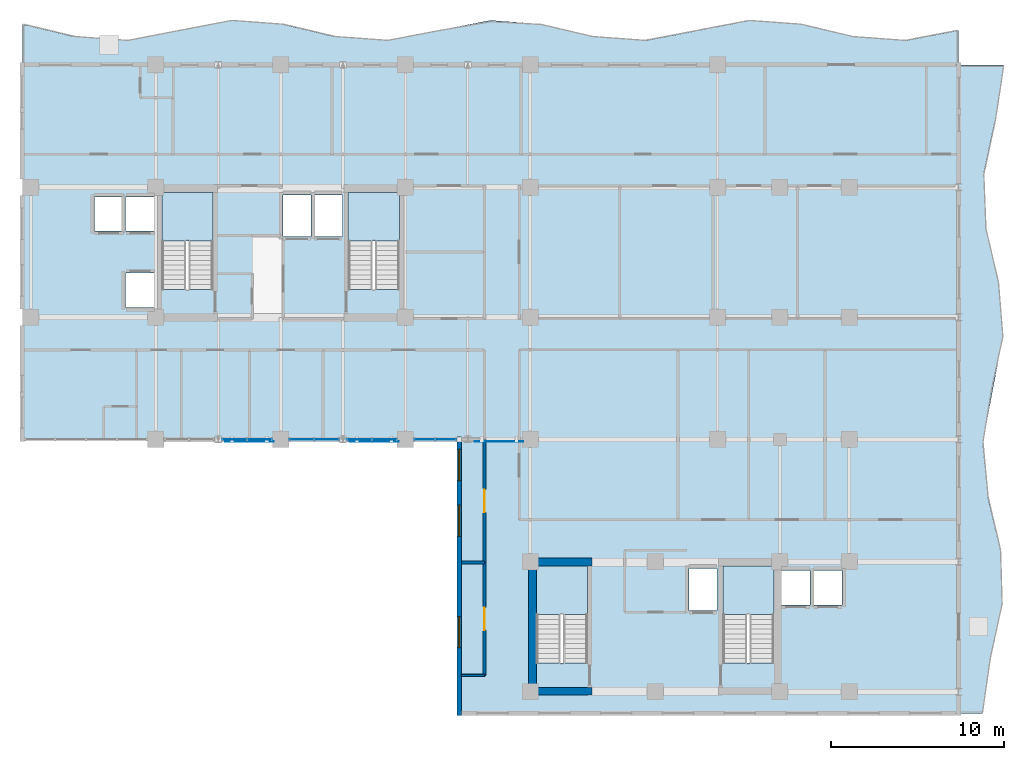
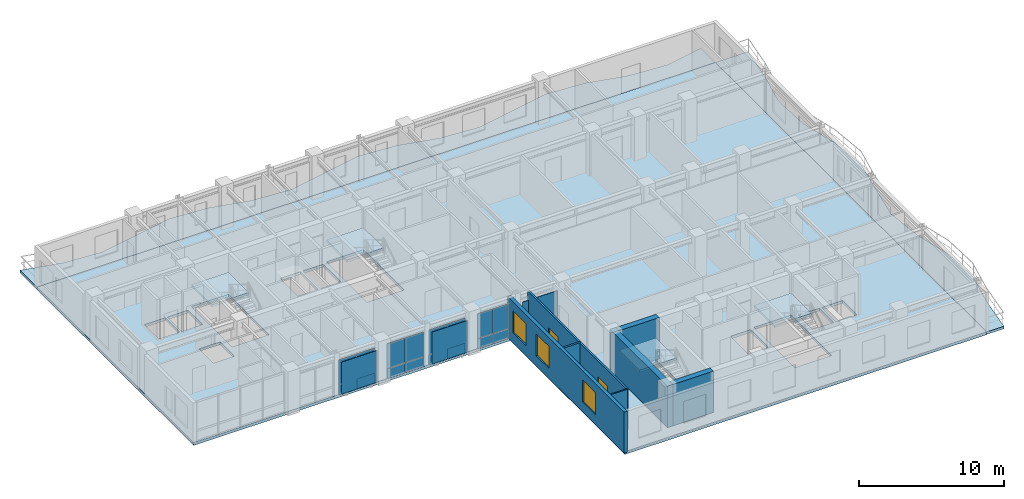
# One storey, part 7 of 16: 19 plates, 8 walls, 7 slabs, 3 windows, 2 doors, 5 openings, 8 elements without a shape of their own.
"""IFC4 building model written with IfcOpenShell, lengths in metres."""

from ifc_helpers import new_model, si_unit, direction, frame, frame_2d, origin, origin_2d, place, context, subcontext, project, spatial, polyline, rectangle, outline, extrude, source, transform, mapped, material, layer, layer_set, type_object, element, fill, aggregate, save


model = new_model("IFC4")

# Units and contexts
model_context = context("Model", 3, precision=1e-05, world=origin(), true_north=direction((0.0, 1.0)))
body_context = subcontext(model_context, "Body", "Model", "MODEL_VIEW")
ifc_project = project(units=[si_unit("LENGTHUNIT", "METRE"), si_unit("AREAUNIT", "SQUARE_METRE"), si_unit("VOLUMEUNIT", "CUBIC_METRE"), si_unit("PLANEANGLEUNIT", "RADIAN"), si_unit("MASSUNIT", "GRAM", prefix="KILO")], contexts=[model_context])

# Site, building, storey
site_placement = place(None, origin())
site = spatial("IfcSite", under=ifc_project, at=site_placement, CompositionType="ELEMENT")
building_placement = place(site_placement, origin())
building = spatial("IfcBuilding", under=site, at=building_placement, Name="Kaliganga Portal Commons", CompositionType="ELEMENT")
storey_placement = place(building_placement, frame((0.0, 0.0, 205.5)))
storey = spatial("IfcBuildingStorey", under=building, at=storey_placement, Name="L52", CompositionType="ELEMENT", Elevation=205.5)

# Slabs
ifc_material_1 = material(Name="Concrete C40/50", Category="concrete")
ifc_layer_1 = layer(ifc_material_1, 0.2099609375)
ifc_layer_set_1 = layer_set([ifc_layer_1], Name="Concrete C40/50")
slab_type_1 = type_object("IfcSlabType", Name="SLB-BALC-210", PredefinedType="FLOOR", material=ifc_layer_set_1)
slab_1_placement = place(storey_placement, frame((0.0, 0.0, -0.2099609375)))
element("IfcSlab", 1, at=slab_1_placement, inside=storey, type_object=slab_type_1, Name="Scalloped Tree-Planter Balcony Slab L52 balc_north", PredefinedType="FLOOR", context=body_context, shape_type="SweptSolid", body=[
    extrude(outline(polyline([(60.699951171875, 43.199951171875), (60.699951171875, 45.19091796875), (57.699951171875, 44.61181640625), (54.699951171875, 44.8330078125), (51.699951171875, 45.549072265625), (48.699951171875, 45.770263671875), (45.699951171875, 45.19091796875), (42.699951171875, 44.61181640625), (39.699951171875, 44.8330078125), (36.699951171875, 45.549072265625), (33.699951171875, 45.770263671875), (30.699951171875, 45.19091796875), (27.699951171875, 44.61181640625), (24.699951171875, 44.8330078125), (21.699951171875, 45.549072265625), (18.699951171875, 45.770263671875), (15.699951171875, 45.19091796875), (12.699951171875, 44.61181640625), (9.699951171875, 44.8330078125), (6.699951171875, 45.549072265625), (6.699951171875, 43.199951171875), (60.699951171875, 43.199951171875)])), origin(), (0.0, 0.0, 1.0), 0.2099609375),
])
slab_2_placement = place(storey_placement, frame((0.0, 0.0, -0.2099609375)))
element("IfcSlab", 2, at=slab_2_placement, inside=storey, type_object=slab_type_1, Name="Scalloped Tree-Planter Balcony Slab L52 balc_east", PredefinedType="FLOOR", context=body_context, shape_type="SweptSolid", body=[
    extrude(outline(polyline([(60.699951171875, 5.800048828125), (62.08203125, 5.800048828125), (62.53125, 8.916748046875), (63.21630859375, 12.033203125), (63.126220703125, 15.14990234375), (62.393798828125, 18.2666015625), (62.10009765625, 21.38330078125), (62.67822265625, 24.5), (63.275146484375, 27.61669921875), (63.010009765625, 30.7333984375), (62.274169921875, 33.85009765625), (62.1533203125, 36.966796875), (62.825927734375, 40.083251953125), (63.299560546875, 43.199951171875), (60.699951171875, 43.199951171875), (60.699951171875, 5.800048828125)])), origin(), (0.0, 0.0, 1.0), 0.2099609375),
])

# Stair, slab
stair_type = type_object("IfcStairType", Name="ST-CORE-DOGLEG", PredefinedType="HALF_TURN_STAIR", material=ifc_material_1)
stair_1_placement = place(storey_placement, origin())
stair_1 = element("IfcStair", 3, at=stair_1_placement, inside=storey, type_object=stair_type, Name="L52 Protected Exit Stair ST-A1", PredefinedType="HALF_TURN_STAIR")
ifc_layer_2 = layer(ifc_material_1, 0.199951171875)
ifc_layer_set_2 = layer_set([ifc_layer_2], Name="Concrete C40/50")
slab_type_2 = type_object("IfcSlabType", Name="SLB-STAIR-LND", PredefinedType="LANDING", material=ifc_layer_set_2)
slab_3_placement = place(storey_placement, frame((0.0, 0.0, 1.64990234375)))
slab_3 = element("IfcSlab", 4, at=slab_3_placement, type_object=slab_type_2, Name="ST-A1 landing 1", PredefinedType="LANDING", context=body_context, shape_type="SweptSolid", body=[
    extrude(outline(polyline([(17.699951171875, 33.050048828125), (17.699951171875, 35.85009765625), (14.75, 35.85009765625), (14.75, 33.050048828125), (17.699951171875, 33.050048828125)])), origin(), (0.0, 0.0, 1.0), 0.2001953125),
])
aggregate(stair_1, [slab_3])

stair_2_placement = place(storey_placement, origin())
stair_2 = element("IfcStair", 5, at=stair_2_placement, inside=storey, type_object=stair_type, Name="L52 Protected Exit Stair ST-A2", PredefinedType="HALF_TURN_STAIR")
slab_4_placement = place(storey_placement, frame((0.0, 0.0, 1.64990234375)))
slab_4 = element("IfcSlab", 6, at=slab_4_placement, type_object=slab_type_2, Name="ST-A2 landing 1", PredefinedType="LANDING", context=body_context, shape_type="SweptSolid", body=[
    extrude(outline(polyline([(28.449951171875, 33.050048828125), (28.449951171875, 35.85009765625), (25.5, 35.85009765625), (25.5, 33.050048828125), (28.449951171875, 33.050048828125)])), origin(), (0.0, 0.0, 1.0), 0.2001953125),
])
aggregate(stair_2, [slab_4])

stair_3_placement = place(storey_placement, origin())
stair_3 = element("IfcStair", 7, at=stair_3_placement, inside=storey, type_object=stair_type, Name="L52 Protected Exit Stair ST-B1", PredefinedType="HALF_TURN_STAIR")
slab_5_placement = place(storey_placement, frame((0.0, 0.0, 1.64990234375)))
slab_5 = element("IfcSlab", 8, at=slab_5_placement, type_object=slab_type_2, Name="ST-B1 landing 1", PredefinedType="LANDING", context=body_context, shape_type="SweptSolid", body=[
    extrude(outline(polyline([(39.300048828125, 11.5), (39.300048828125, 14.300048828125), (36.35009765625, 14.300048828125), (36.35009765625, 11.5), (39.300048828125, 11.5)])), origin(), (0.0, 0.0, 1.0), 0.2001953125),
])
aggregate(stair_3, [slab_5])

stair_4_placement = place(storey_placement, origin())
stair_4 = element("IfcStair", 9, at=stair_4_placement, inside=storey, type_object=stair_type, Name="L52 Protected Exit Stair ST-B2", PredefinedType="HALF_TURN_STAIR")
slab_6_placement = place(storey_placement, frame((0.0, 0.0, 1.64990234375)))
slab_6 = element("IfcSlab", 10, at=slab_6_placement, type_object=slab_type_2, Name="ST-B2 landing 1", PredefinedType="LANDING", context=body_context, shape_type="SweptSolid", body=[
    extrude(outline(polyline([(50.050048828125, 11.5), (50.050048828125, 14.300048828125), (47.10009765625, 14.300048828125), (47.10009765625, 11.5), (50.050048828125, 11.5)])), origin(), (0.0, 0.0, 1.0), 0.2001953125),
])
aggregate(stair_4, [slab_6])

# Slab
ifc_layer_3 = layer(ifc_material_1, 0.22998046875)
ifc_layer_set_3 = layer_set([ifc_layer_3], Name="Concrete C40/50")
slab_type_3 = type_object("IfcSlabType", Name="SLB-TWR-230", PredefinedType="FLOOR", material=ifc_layer_set_3)
slab_7_placement = place(storey_placement, frame((0.0, 0.0, -0.22998046875)))
element("IfcSlab", 11, at=slab_7_placement, inside=storey, type_object=slab_type_3, Name="Structural Floor Slab L52", PredefinedType="FLOOR", context=body_context, shape_type="SweptSolid", body=[
    extrude(outline(polyline([(31.89990234375, 5.800048828125), (60.699951171875, 5.800048828125), (60.699951171875, 43.199951171875), (6.699951171875, 43.199951171875), (6.699951171875, 21.60009765625), (31.89990234375, 21.60009765625), (31.89990234375, 5.800048828125)]), holes=[polyline([(14.75, 30.25390625), (14.75, 35.85009765625), (17.699951171875, 35.85009765625), (17.699951171875, 30.25390625), (14.75, 30.25390625)]), polyline([(25.5, 30.25390625), (25.5, 35.85009765625), (28.449951171875, 35.85009765625), (28.449951171875, 30.25390625), (25.5, 30.25390625)]), polyline([(36.35009765625, 8.7041015625), (36.35009765625, 14.300048828125), (39.300048828125, 14.300048828125), (39.300048828125, 8.7041015625), (36.35009765625, 8.7041015625)]), polyline([(47.10009765625, 8.7041015625), (47.10009765625, 14.300048828125), (50.050048828125, 14.300048828125), (50.050048828125, 8.7041015625), (47.10009765625, 8.7041015625)]), polyline([(12.6650390625, 33.614990234375), (12.6650390625, 35.5849609375), (14.3349609375, 35.5849609375), (14.3349609375, 33.614990234375), (12.6650390625, 33.614990234375)]), polyline([(12.6650390625, 29.215087890625), (12.6650390625, 31.18505859375), (14.3349609375, 31.18505859375), (14.3349609375, 29.215087890625), (12.6650390625, 29.215087890625)]), polyline([(10.864990234375, 33.614990234375), (10.864990234375, 35.5849609375), (12.534912109375, 35.5849609375), (12.534912109375, 33.614990234375), (10.864990234375, 33.614990234375)]), polyline([(21.739990234375, 33.2900390625), (21.739990234375, 35.7099609375), (23.360107421875, 35.7099609375), (23.360107421875, 33.2900390625), (21.739990234375, 33.2900390625)]), polyline([(23.5400390625, 33.2900390625), (23.5400390625, 35.7099609375), (25.159912109375, 35.7099609375), (25.159912109375, 33.2900390625), (23.5400390625, 33.2900390625)]), polyline([(50.465087890625, 12.06494140625), (50.465087890625, 14.034912109375), (52.135009765625, 14.034912109375), (52.135009765625, 12.06494140625), (50.465087890625, 12.06494140625)]), polyline([(52.31494140625, 12.06494140625), (52.31494140625, 14.034912109375), (53.985107421875, 14.034912109375), (53.985107421875, 12.06494140625), (52.31494140625, 12.06494140625)]), polyline([(45.139892578125, 11.739990234375), (45.139892578125, 14.159912109375), (46.760009765625, 14.159912109375), (46.760009765625, 11.739990234375), (45.139892578125, 11.739990234375)])]), origin(), (0.0, 0.0, 1.0), 0.22998046875),
])

# Plates
ifc_material_2 = material(Name="Perforated Terracotta Monsoon Baguette Screen", Category="masonry")
ifc_layer_4 = layer(ifc_material_2, 0.034912109375)
ifc_layer_set_4 = layer_set([ifc_layer_4], Name="Perforated Terracotta Monsoon Baguette Screen")
plate_type_1 = type_object("IfcPlateType", Name="PLT-CER-35", PredefinedType="USERDEFINED", material=ifc_layer_set_4)
shared_shape_1 = source(origin(), body_context, "Body", "SweptSolid", [
    extrude(rectangle(XDim=2.800048828125, YDim=0.034912109375, at=origin_2d()), origin(), (0.0, 0.0, 1.0), 2.68994140625),
])
for number, where, z_axis, x_axis, name in (
    (12, (19.800048828125, 21.47998046875, 0.080078125), (0.0, 0.0, 1.0), (1.0, 0.0, 0.0), "Perforated Solar Screen L52-S1"),
    (13, (27.0, 21.47998046875, 0.080078125), (0.0, 0.0, 1.0), (1.0, 0.0, 0.0), "Perforated Solar Screen L52-S2"),
    (14, (34.199951171875, 21.47998046875, 0.080078125), (0.0, 0.0, 1.0), (1.0, 0.0, 0.0), "Perforated Solar Screen L52-S3"),
):
    element("IfcPlate", number, at=place(storey_placement, frame(where, z_axis=z_axis, x_axis=x_axis)), inside=storey, type_object=plate_type_1, Name=name, ObjectType="SOLAR SCREEN", PredefinedType="USERDEFINED", context=body_context, shape_type="MappedRepresentation", body=[
        mapped(shared_shape_1, transform((0.0, 0.0, 0.0), x_axis=(1.0, 0.0, 0.0), y_axis=(0.0, 1.0, 0.0), z_axis=(0.0, 0.0, 1.0), scale=1.0)),
    ])

# Curtain wall, plates
ifc_material_3 = material(Name="Anodized Aluminium and Laminated Low-E Glass", Category="aluminium")
ifc_layer_5 = layer(ifc_material_3, 0.2099609375)
ifc_layer_set_5 = layer_set([ifc_layer_5], Name="Anodized Aluminium and Laminated Low-E Glass")
curtain_wall_type = type_object("IfcCurtainWallType", Name="CW-SYS-03", PredefinedType="NOTDEFINED", material=ifc_layer_set_5)
curtain_wall_1_placement = place(storey_placement, origin())
curtain_wall_1 = element("IfcCurtainWall", 15, at=curtain_wall_1_placement, inside=storey, type_object=curtain_wall_type, Name="CW 03 L52 P1E04S3", PredefinedType="NOTDEFINED")
ifc_material_4 = material(Name="Insulated Dark Spandrel Panel", Category="metal")
ifc_layer_6 = layer(ifc_material_4, 0.044921875)
ifc_layer_set_6 = layer_set([ifc_layer_6], Name="Insulated Dark Spandrel Panel")
plate_type_2 = type_object("IfcPlateType", Name="PLT-SPN-45", PredefinedType="SHEET", material=ifc_layer_set_6)
shared_shape_2 = source(origin(), body_context, "Body", "SweptSolid", [
    extrude(rectangle(XDim=1.421630859375, YDim=0.044921875, at=origin_2d()), origin(), (0.0, 0.0, 1.0), 0.82568359375),
])
plate_1_placement = place(storey_placement, frame((18.931396484375, 21.60009765625, 0.010009765625), z_axis=(0.0, 0.0, 1.0), x_axis=(1.0, 0.0, 0.0)))
plate_1 = element("IfcPlate", 16, at=plate_1_placement, type_object=plate_type_2, Name="CW:03:L52:P1E04S3 Spandrel 00", PredefinedType="SHEET", context=body_context, shape_type="MappedRepresentation", body=[
    mapped(shared_shape_2, transform((0.0, 0.0, 0.0), x_axis=(1.0, 0.0, 0.0), y_axis=(0.0, 1.0, 0.0), z_axis=(0.0, 0.0, 1.0), scale=1.0)),
])
plate_2_placement = place(storey_placement, frame((20.39306640625, 21.60009765625, 0.010009765625), z_axis=(0.0, 0.0, 1.0), x_axis=(1.0, 0.0, 0.0)))
plate_2 = element("IfcPlate", 17, at=plate_2_placement, type_object=plate_type_2, Name="CW:03:L52:P1E04S3 Spandrel 01", PredefinedType="SHEET", context=body_context, shape_type="MappedRepresentation", body=[
    mapped(shared_shape_2, transform((0.0, 0.0, 0.0), x_axis=(1.0, 0.0, 0.0), y_axis=(0.0, 1.0, 0.0), z_axis=(0.0, 0.0, 1.0), scale=1.0)),
])
ifc_material_5 = material(Name="Dark Solar-Control Laminated Low-E IGU", Category="glass")
ifc_layer_7 = layer(ifc_material_5, 0.028076171875)
ifc_layer_set_7 = layer_set([ifc_layer_7], Name="Dark Solar-Control Laminated Low-E IGU")
plate_type_3 = type_object("IfcPlateType", Name="PLT-GLZ-28", PredefinedType="CURTAIN_PANEL", material=ifc_layer_set_7)
shared_shape_3 = source(origin(), body_context, "Body", "SweptSolid", [
    extrude(rectangle(XDim=1.421630859375, YDim=0.028076171875, at=origin_2d()), origin(), (0.0, 0.0, 1.0), 2.074462890625),
])
plate_3_placement = place(storey_placement, frame((18.931396484375, 21.60009765625, 0.85546875), z_axis=(0.0, 0.0, 1.0), x_axis=(1.0, 0.0, 0.0)))
plate_3 = element("IfcPlate", 18, at=plate_3_placement, type_object=plate_type_3, Name="CW:03:L52:P1E04S3 Vision IGU 00", PredefinedType="CURTAIN_PANEL", context=body_context, shape_type="MappedRepresentation", body=[
    mapped(shared_shape_3, transform((0.0, 0.0, 0.0), x_axis=(1.0, 0.0, 0.0), y_axis=(0.0, 1.0, 0.0), z_axis=(0.0, 0.0, 1.0), scale=1.0)),
])
plate_4_placement = place(storey_placement, frame((20.39306640625, 21.60009765625, 0.85546875), z_axis=(0.0, 0.0, 1.0), x_axis=(1.0, 0.0, 0.0)))
plate_4 = element("IfcPlate", 19, at=plate_4_placement, type_object=plate_type_3, Name="CW:03:L52:P1E04S3 Vision IGU 01", PredefinedType="CURTAIN_PANEL", context=body_context, shape_type="MappedRepresentation", body=[
    mapped(shared_shape_3, transform((0.0, 0.0, 0.0), x_axis=(1.0, 0.0, 0.0), y_axis=(0.0, 1.0, 0.0), z_axis=(0.0, 0.0, 1.0), scale=1.0)),
])
aggregate(curtain_wall_1, [plate_1, plate_3, plate_2, plate_4])

curtain_wall_2_placement = place(storey_placement, origin())
curtain_wall_2 = element("IfcCurtainWall", 20, at=curtain_wall_2_placement, inside=storey, type_object=curtain_wall_type, Name="CW 03 L52 P1E04S4", PredefinedType="NOTDEFINED")
shared_shape_4 = source(origin(), body_context, "Body", "SweptSolid", [
    extrude(rectangle(XDim=1.421875, YDim=0.044921875, at=origin_2d()), origin(), (0.0, 0.0, 1.0), 0.82568359375),
])
plate_5_placement = place(storey_placement, frame((22.806884765625, 21.60009765625, 0.010009765625), z_axis=(0.0, 0.0, 1.0), x_axis=(1.0, 0.0, 0.0)))
plate_5 = element("IfcPlate", 21, at=plate_5_placement, type_object=plate_type_2, Name="CW:03:L52:P1E04S4 Spandrel 00", PredefinedType="SHEET", context=body_context, shape_type="MappedRepresentation", body=[
    mapped(shared_shape_4, transform((0.0, 0.0, 0.0), x_axis=(1.0, 0.0, 0.0), y_axis=(0.0, 1.0, 0.0), z_axis=(0.0, 0.0, 1.0), scale=1.0)),
])
plate_6_placement = place(storey_placement, frame((24.2685546875, 21.60009765625, 0.010009765625), z_axis=(0.0, 0.0, 1.0), x_axis=(1.0, 0.0, 0.0)))
plate_6 = element("IfcPlate", 22, at=plate_6_placement, type_object=plate_type_2, Name="CW:03:L52:P1E04S4 Spandrel 01", PredefinedType="SHEET", context=body_context, shape_type="MappedRepresentation", body=[
    mapped(shared_shape_4, transform((0.0, 0.0, 0.0), x_axis=(1.0, 0.0, 0.0), y_axis=(0.0, 1.0, 0.0), z_axis=(0.0, 0.0, 1.0), scale=1.0)),
])

curtain_wall_3_placement = place(storey_placement, origin())
curtain_wall_3 = element("IfcCurtainWall", 23, at=curtain_wall_3_placement, inside=storey, type_object=curtain_wall_type, Name="CW 03 L52 P1E04S5", PredefinedType="NOTDEFINED")
plate_7_placement = place(storey_placement, frame((26.13134765625, 21.60009765625, 0.010009765625), z_axis=(0.0, 0.0, 1.0), x_axis=(1.0, 0.0, 0.0)))
plate_7 = element("IfcPlate", 24, at=plate_7_placement, type_object=plate_type_2, Name="CW:03:L52:P1E04S5 Spandrel 00", PredefinedType="SHEET", context=body_context, shape_type="MappedRepresentation", body=[
    mapped(shared_shape_4, transform((0.0, 0.0, 0.0), x_axis=(1.0, 0.0, 0.0), y_axis=(0.0, 1.0, 0.0), z_axis=(0.0, 0.0, 1.0), scale=1.0)),
])
plate_8_placement = place(storey_placement, frame((27.593017578125, 21.60009765625, 0.010009765625), z_axis=(0.0, 0.0, 1.0), x_axis=(1.0, 0.0, 0.0)))
plate_8 = element("IfcPlate", 25, at=plate_8_placement, type_object=plate_type_2, Name="CW:03:L52:P1E04S5 Spandrel 01", PredefinedType="SHEET", context=body_context, shape_type="MappedRepresentation", body=[
    mapped(shared_shape_4, transform((0.0, 0.0, 0.0), x_axis=(1.0, 0.0, 0.0), y_axis=(0.0, 1.0, 0.0), z_axis=(0.0, 0.0, 1.0), scale=1.0)),
])

# Plate
shared_shape_5 = source(origin(), body_context, "Body", "SweptSolid", [
    extrude(rectangle(XDim=1.421875, YDim=0.028076171875, at=origin_2d()), origin(), (0.0, 0.0, 1.0), 2.074462890625),
])
plate_9_placement = place(storey_placement, frame((22.806884765625, 21.60009765625, 0.85546875), z_axis=(0.0, 0.0, 1.0), x_axis=(1.0, 0.0, 0.0)))
plate_9 = element("IfcPlate", 26, at=plate_9_placement, type_object=plate_type_3, Name="CW:03:L52:P1E04S4 Vision IGU 00", PredefinedType="CURTAIN_PANEL", context=body_context, shape_type="MappedRepresentation", body=[
    mapped(shared_shape_5, transform((0.0, 0.0, 0.0), x_axis=(1.0, 0.0, 0.0), y_axis=(0.0, 1.0, 0.0), z_axis=(0.0, 0.0, 1.0), scale=1.0)),
])

plate_10_placement = place(storey_placement, frame((24.2685546875, 21.60009765625, 0.85546875), z_axis=(0.0, 0.0, 1.0), x_axis=(1.0, 0.0, 0.0)))
plate_10 = element("IfcPlate", 27, at=plate_10_placement, type_object=plate_type_3, Name="CW:03:L52:P1E04S4 Vision IGU 01", PredefinedType="CURTAIN_PANEL", context=body_context, shape_type="MappedRepresentation", body=[
    mapped(shared_shape_5, transform((0.0, 0.0, 0.0), x_axis=(1.0, 0.0, 0.0), y_axis=(0.0, 1.0, 0.0), z_axis=(0.0, 0.0, 1.0), scale=1.0)),
])

aggregate(curtain_wall_2, [plate_5, plate_9, plate_6, plate_10])

plate_11_placement = place(storey_placement, frame((26.13134765625, 21.60009765625, 0.85546875), z_axis=(0.0, 0.0, 1.0), x_axis=(1.0, 0.0, 0.0)))
plate_11 = element("IfcPlate", 28, at=plate_11_placement, type_object=plate_type_3, Name="CW:03:L52:P1E04S5 Vision IGU 00", PredefinedType="CURTAIN_PANEL", context=body_context, shape_type="MappedRepresentation", body=[
    mapped(shared_shape_5, transform((0.0, 0.0, 0.0), x_axis=(1.0, 0.0, 0.0), y_axis=(0.0, 1.0, 0.0), z_axis=(0.0, 0.0, 1.0), scale=1.0)),
])

plate_12_placement = place(storey_placement, frame((27.593017578125, 21.60009765625, 0.85546875), z_axis=(0.0, 0.0, 1.0), x_axis=(1.0, 0.0, 0.0)))
plate_12 = element("IfcPlate", 29, at=plate_12_placement, type_object=plate_type_3, Name="CW:03:L52:P1E04S5 Vision IGU 01", PredefinedType="CURTAIN_PANEL", context=body_context, shape_type="MappedRepresentation", body=[
    mapped(shared_shape_5, transform((0.0, 0.0, 0.0), x_axis=(1.0, 0.0, 0.0), y_axis=(0.0, 1.0, 0.0), z_axis=(0.0, 0.0, 1.0), scale=1.0)),
])

aggregate(curtain_wall_3, [plate_7, plate_11, plate_8, plate_12])

# Curtain wall, plates
curtain_wall_4_placement = place(storey_placement, origin())
curtain_wall_4 = element("IfcCurtainWall", 30, at=curtain_wall_4_placement, inside=storey, type_object=curtain_wall_type, Name="CW 03 L52 P1E04S6", PredefinedType="NOTDEFINED")
shared_shape_6 = source(origin(), body_context, "Body", "SweptSolid", [
    extrude(rectangle(XDim=1.201904296875, YDim=0.044921875, at=origin_2d()), origin(), (0.0, 0.0, 1.0), 0.82568359375),
])
plate_13_placement = place(storey_placement, frame((29.89697265625, 21.60009765625, 0.010009765625), z_axis=(0.0, 0.0, 1.0), x_axis=(1.0, 0.0, 0.0)))
plate_13 = element("IfcPlate", 31, at=plate_13_placement, type_object=plate_type_2, Name="CW:03:L52:P1E04S6 Spandrel 00", PredefinedType="SHEET", context=body_context, shape_type="MappedRepresentation", body=[
    mapped(shared_shape_6, transform((0.0, 0.0, 0.0), x_axis=(1.0, 0.0, 0.0), y_axis=(0.0, 1.0, 0.0), z_axis=(0.0, 0.0, 1.0), scale=1.0)),
])
plate_14_placement = place(storey_placement, frame((31.138916015625, 21.60009765625, 0.010009765625), z_axis=(0.0, 0.0, 1.0), x_axis=(1.0, 0.0, 0.0)))
plate_14 = element("IfcPlate", 32, at=plate_14_placement, type_object=plate_type_2, Name="CW:03:L52:P1E04S6 Spandrel 01", PredefinedType="SHEET", context=body_context, shape_type="MappedRepresentation", body=[
    mapped(shared_shape_6, transform((0.0, 0.0, 0.0), x_axis=(1.0, 0.0, 0.0), y_axis=(0.0, 1.0, 0.0), z_axis=(0.0, 0.0, 1.0), scale=1.0)),
])
shared_shape_7 = source(origin(), body_context, "Body", "SweptSolid", [
    extrude(rectangle(XDim=1.201904296875, YDim=0.028076171875, at=origin_2d()), origin(), (0.0, 0.0, 1.0), 2.074462890625),
])
plate_15_placement = place(storey_placement, frame((29.89697265625, 21.60009765625, 0.85546875), z_axis=(0.0, 0.0, 1.0), x_axis=(1.0, 0.0, 0.0)))
plate_15 = element("IfcPlate", 33, at=plate_15_placement, type_object=plate_type_3, Name="CW:03:L52:P1E04S6 Vision IGU 00", PredefinedType="CURTAIN_PANEL", context=body_context, shape_type="MappedRepresentation", body=[
    mapped(shared_shape_7, transform((0.0, 0.0, 0.0), x_axis=(1.0, 0.0, 0.0), y_axis=(0.0, 1.0, 0.0), z_axis=(0.0, 0.0, 1.0), scale=1.0)),
])
plate_16_placement = place(storey_placement, frame((31.138916015625, 21.60009765625, 0.85546875), z_axis=(0.0, 0.0, 1.0), x_axis=(1.0, 0.0, 0.0)))
plate_16 = element("IfcPlate", 34, at=plate_16_placement, type_object=plate_type_3, Name="CW:03:L52:P1E04S6 Vision IGU 01", PredefinedType="CURTAIN_PANEL", context=body_context, shape_type="MappedRepresentation", body=[
    mapped(shared_shape_7, transform((0.0, 0.0, 0.0), x_axis=(1.0, 0.0, 0.0), y_axis=(0.0, 1.0, 0.0), z_axis=(0.0, 0.0, 1.0), scale=1.0)),
])
aggregate(curtain_wall_4, [plate_13, plate_15, plate_14, plate_16])

# Walls
ifc_material_6 = material(Name="Concrete C60/75", Category="concrete")
ifc_layer_8 = layer(ifc_material_6, 0.449951171875)
ifc_layer_set_8 = layer_set([ifc_layer_8], Name="Concrete C60/75")
wall_type_1 = type_object("IfcWallType", Name="WL-CORE-450", PredefinedType="SHEAR", material=ifc_layer_set_8)
wall_1_placement = place(storey_placement, frame((36.125, 6.85009765625, 0.0), z_axis=(0.0, 0.0, 1.0), x_axis=(0.0, 1.0, 0.0)))
element("IfcWall", 35, at=wall_1_placement, inside=storey, type_object=wall_type_1, Name="Core B West Shear Wall L52", PredefinedType="SHEAR", context=body_context, shape_type="SweptSolid", body=[
    extrude(rectangle(XDim=7.89990234375, YDim=0.449951171875, at=frame_2d((3.949951171875, 0.0))), origin(), (0.0, 0.0, 1.0), 3.469970703125),
])
for number, where, z_axis, x_axis, name in (
    (36, (36.35009765625, 7.074951171875, 0.0), (0.0, 0.0, 1.0), (1.0, 0.0, 0.0), "Core B S-West Shear Wall L52"),
    (37, (36.35009765625, 14.52490234375, 0.0), (0.0, 0.0, 1.0), (1.0, 0.0, 0.0), "Core B N-West Shear Wall L52"),
):
    element("IfcWall", number, at=place(storey_placement, frame(where, z_axis=z_axis, x_axis=x_axis)), inside=storey, type_object=wall_type_1, Name=name, PredefinedType="SHEAR", context=body_context, shape_type="SweptSolid", body=[
        extrude(rectangle(XDim=3.199951171875, YDim=0.449951171875, at=frame_2d((1.60009765625, 0.0))), origin(), (0.0, 0.0, 1.0), 3.469970703125),
    ])

# Wall, openings, windows
ifc_material_7 = material(Name="Insulated Aluminium-Clad Spandrel Assembly", Category="aluminium")
ifc_layer_9 = layer(ifc_material_7, 0.260009765625)
ifc_layer_set_9 = layer_set([ifc_layer_9], Name="Insulated Aluminium-Clad Spandrel Assembly")
wall_type_2 = type_object("IfcWallType", Name="WL-EXT-SPAND-260", PredefinedType="STANDARD", material=ifc_layer_set_9)
wall_2_placement = place(storey_placement, frame((31.89990234375, 5.669921875, 0.0), z_axis=(0.0, 0.0, 1.0), x_axis=(0.0, 1.0, 0.0)))
wall_2 = element("IfcWall", 38, at=wall_2_placement, inside=storey, type_object=wall_type_2, Name="Exterior Envelope Wall L52 P1-E05-S1", PredefinedType="STANDARD", context=body_context, shape_type="SweptSolid", body=[
    extrude(rectangle(XDim=16.06005859375, YDim=0.260009765625, at=frame_2d((8.030029296875, 0.0))), origin(), (0.0, 0.0, 1.0), 3.449951171875),
])
opening_1_placement = place(wall_2_placement, frame((3.91796875, 0.0, 0.85009765625)))
opening_1 = element("IfcOpeningElement", 39, at=opening_1_placement, cuts=wall_2, Name="Opening W-01", PredefinedType="OPENING", context=body_context, shape_type="SweptSolid", body=[
    extrude(rectangle(XDim=1.800048828125, YDim=1.85009765625, at=frame_2d((0.89990234375, 0.925048828125))), frame((0.0, 0.14013671875, 0.0), z_axis=(0.0, -1.0, 0.0), x_axis=(1.0, 0.0, 0.0)), (0.0, 0.0, 1.0), 0.280029296875),
])
opening_2_placement = place(wall_2_placement, frame((10.342041015625, 0.0, 0.85009765625)))
opening_2 = element("IfcOpeningElement", 40, at=opening_2_placement, cuts=wall_2, Name="Opening W-01", PredefinedType="OPENING", context=body_context, shape_type="SweptSolid", body=[
    extrude(rectangle(XDim=1.800048828125, YDim=1.85009765625, at=frame_2d((0.89990234375, 0.925048828125))), frame((0.0, 0.14013671875, 0.0), z_axis=(0.0, -1.0, 0.0), x_axis=(1.0, 0.0, 0.0)), (0.0, 0.0, 1.0), 0.280029296875),
])
opening_3_placement = place(wall_2_placement, frame((13.553955078125, 0.0, 0.85009765625)))
opening_3 = element("IfcOpeningElement", 41, at=opening_3_placement, cuts=wall_2, Name="Opening W-01", PredefinedType="OPENING", context=body_context, shape_type="SweptSolid", body=[
    extrude(rectangle(XDim=1.800048828125, YDim=1.85009765625, at=frame_2d((0.89990234375, 0.925048828125))), frame((0.0, 0.14013671875, 0.0), z_axis=(0.0, -1.0, 0.0), x_axis=(1.0, 0.0, 0.0)), (0.0, 0.0, 1.0), 0.280029296875),
])
ifc_material_8 = material(Name="Thermally Broken Aluminium and Low-E Double Glazing", Category="aluminium")
window_type = type_object("IfcWindowType", Name="WIN-STD-1800", PartitioningType="DOUBLE_PANEL_VERTICAL", PredefinedType="WINDOW", material=ifc_material_8)
window_1_placement = place(opening_1_placement, origin())
window_1 = element("IfcWindow", 42, at=window_1_placement, inside=storey, type_object=window_type, Name="Facade Window L52-P1E05S1-01", OverallHeight=1.85009765625, OverallWidth=1.800048828125, PartitioningType="SINGLE_PANEL", PredefinedType="WINDOW", context=body_context, shape_type="SweptSolid", body=[
    extrude(rectangle(XDim=1.800048828125, YDim=1.85009765625, at=frame_2d((0.89990234375, 0.925048828125))), frame((0.0, 0.030029296875, 0.0), z_axis=(0.0, -1.0, 0.0), x_axis=(1.0, 0.0, 0.0)), (0.0, 0.0, 1.0), 0.06005859375),
])
fill(opening_1, window_1)
window_2_placement = place(opening_2_placement, origin())
window_2 = element("IfcWindow", 43, at=window_2_placement, inside=storey, type_object=window_type, Name="Facade Window L52-P1E05S1-03", OverallHeight=1.85009765625, OverallWidth=1.800048828125, PartitioningType="SINGLE_PANEL", PredefinedType="WINDOW", context=body_context, shape_type="SweptSolid", body=[
    extrude(rectangle(XDim=1.800048828125, YDim=1.85009765625, at=frame_2d((0.89990234375, 0.925048828125))), frame((0.0, 0.030029296875, 0.0), z_axis=(0.0, -1.0, 0.0), x_axis=(1.0, 0.0, 0.0)), (0.0, 0.0, 1.0), 0.06005859375),
])
fill(opening_2, window_2)
window_3_placement = place(opening_3_placement, origin())
window_3 = element("IfcWindow", 44, at=window_3_placement, inside=storey, type_object=window_type, Name="Facade Window L52-P1E05S1-04", OverallHeight=1.85009765625, OverallWidth=1.800048828125, PartitioningType="SINGLE_PANEL", PredefinedType="WINDOW", context=body_context, shape_type="SweptSolid", body=[
    extrude(rectangle(XDim=1.800048828125, YDim=1.85009765625, at=frame_2d((0.89990234375, 0.925048828125))), frame((0.0, 0.030029296875, 0.0), z_axis=(0.0, -1.0, 0.0), x_axis=(1.0, 0.0, 0.0)), (0.0, 0.0, 1.0), 0.06005859375),
])
fill(opening_3, window_3)

# Wall, opening, door
ifc_material_9 = material(Name="Fire-Rated Gypsum Board on Steel Stud", Category="steel")
ifc_layer_10 = layer(ifc_material_9, 0.14990234375)
ifc_layer_set_10 = layer_set([ifc_layer_10], Name="Fire-Rated Gypsum Board on Steel Stud")
wall_type_3 = type_object("IfcWallType", Name="WL-PART-CORR-150", PredefinedType="PARTITIONING", material=ifc_layer_set_10)
wall_3_placement = place(storey_placement, frame((33.360107421875, 14.5, 0.0), z_axis=(0.0, 0.0, 1.0), x_axis=(0.0, 1.0, 0.0)))
wall_3 = element("IfcWall", 45, at=wall_3_placement, inside=storey, type_object=wall_type_3, Name="Interior Partition L52-019", PredefinedType="PARTITIONING", context=body_context, shape_type="SweptSolid", body=[
    extrude(rectangle(XDim=7.10009765625, YDim=0.14990234375, at=frame_2d((3.550048828125, 0.0))), origin(), (0.0, 0.0, 1.0), 3.449951171875),
])
opening_4_placement = place(wall_3_placement, frame((2.89990234375, 0.0, 0.0)))
opening_4 = element("IfcOpeningElement", 46, at=opening_4_placement, cuts=wall_3, Name="Opening RD-03", PredefinedType="OPENING", context=body_context, shape_type="SweptSolid", body=[
    extrude(rectangle(XDim=1.300048828125, YDim=2.1201171875, at=frame_2d((0.64990234375, 1.06005859375))), frame((0.0, 0.0849609375, 0.0), z_axis=(0.0, -1.0, 0.0), x_axis=(1.0, 0.0, 0.0)), (0.0, 0.0, 1.0), 0.169921875),
])
ifc_material_10 = material(Name="Glazed Timber Seminar Vision Door", Category="wood")
door_type = type_object("IfcDoorType", Name="DR-STUDY-1300", OperationType="DOUBLE_DOOR_SINGLE_SWING", PredefinedType="DOOR", material=ifc_material_10)
door_1_placement = place(opening_4_placement, origin())
door_1 = element("IfcDoor", 47, at=door_1_placement, inside=storey, type_object=door_type, Name="Interior Door L52-KW02", OperationType="DOUBLE_DOOR_SINGLE_SWING", OverallHeight=2.1201171875, OverallWidth=1.300048828125, PredefinedType="DOOR", context=body_context, shape_type="SweptSolid", body=[
    extrude(rectangle(XDim=1.300048828125, YDim=2.1201171875, at=frame_2d((0.64990234375, 1.06005859375))), frame((0.0, 0.02490234375, 0.0), z_axis=(0.0, -1.0, 0.0), x_axis=(1.0, 0.0, 0.0)), (0.0, 0.0, 1.0), 0.050048828125),
])
fill(opening_4, door_1)

wall_4_placement = place(storey_placement, frame((33.360107421875, 8.0, 0.0), z_axis=(0.0, 0.0, 1.0), x_axis=(0.0, 1.0, 0.0)))
wall_4 = element("IfcWall", 48, at=wall_4_placement, inside=storey, type_object=wall_type_3, Name="Interior Partition L52-021", PredefinedType="PARTITIONING", context=body_context, shape_type="SweptSolid", body=[
    extrude(rectangle(XDim=6.5, YDim=0.14990234375, at=frame_2d((3.25, 0.0))), origin(), (0.0, 0.0, 1.0), 3.449951171875),
])
opening_5_placement = place(wall_4_placement, frame((2.60009765625, 0.0, 0.0)))
opening_5 = element("IfcOpeningElement", 49, at=opening_5_placement, cuts=wall_4, Name="Opening RD-03", PredefinedType="OPENING", context=body_context, shape_type="SweptSolid", body=[
    extrude(rectangle(XDim=1.300048828125, YDim=2.1201171875, at=frame_2d((0.64990234375, 1.06005859375))), frame((0.0, 0.0849609375, 0.0), z_axis=(0.0, -1.0, 0.0), x_axis=(1.0, 0.0, 0.0)), (0.0, 0.0, 1.0), 0.169921875),
])
door_2_placement = place(opening_5_placement, origin())
door_2 = element("IfcDoor", 50, at=door_2_placement, inside=storey, type_object=door_type, Name="Interior Door L52-KW01", OperationType="DOUBLE_DOOR_SINGLE_SWING", OverallHeight=2.1201171875, OverallWidth=1.300048828125, PredefinedType="DOOR", context=body_context, shape_type="SweptSolid", body=[
    extrude(rectangle(XDim=1.300048828125, YDim=2.1201171875, at=frame_2d((0.64990234375, 1.06005859375))), frame((0.0, 0.02490234375, 0.0), z_axis=(0.0, -1.0, 0.0), x_axis=(1.0, 0.0, 0.0)), (0.0, 0.0, 1.0), 0.050048828125),
])
fill(opening_5, door_2)

# Walls
ifc_material_11 = material(Name="Moisture-Resistant Gypsum Partition", Category="gypsum")
ifc_layer_11 = layer(ifc_material_11, 0.114990234375)
ifc_layer_set_11 = layer_set([ifc_layer_11], Name="Moisture-Resistant Gypsum Partition")
wall_type_4 = type_object("IfcWallType", Name="WL-PART-ROOM-115", PredefinedType="PARTITIONING", material=ifc_layer_set_11)
wall_5_placement = place(storey_placement, frame((32.031982421875, 8.0, 0.0), z_axis=(0.0, 0.0, 1.0), x_axis=(1.0, 0.0, 0.0)))
element("IfcWall", 51, at=wall_5_placement, inside=storey, type_object=wall_type_4, Name="Interior Partition L52-074", PredefinedType="PARTITIONING", context=body_context, shape_type="SweptSolid", body=[
    extrude(rectangle(XDim=1.328125, YDim=0.114990234375, at=frame_2d((0.6640625, 0.0))), origin(), (0.0, 0.0, 1.0), 3.449951171875),
])
ifc_material_12 = material(Name="Twin-Stud Acoustic Gypsum Partition", Category="gypsum")
ifc_layer_12 = layer(ifc_material_12, 0.1650390625)
ifc_layer_set_12 = layer_set([ifc_layer_12], Name="Twin-Stud Acoustic Gypsum Partition")
wall_type_5 = type_object("IfcWallType", Name="WL-PART-UNIT-165", PredefinedType="PARTITIONING", material=ifc_layer_set_12)
wall_6_placement = place(storey_placement, frame((32.031982421875, 14.5, 0.0), z_axis=(0.0, 0.0, 1.0), x_axis=(1.0, 0.0, 0.0)))
element("IfcWall", 52, at=wall_6_placement, inside=storey, type_object=wall_type_5, Name="Interior Partition L52-075", PredefinedType="PARTITIONING", context=body_context, shape_type="SweptSolid", body=[
    extrude(rectangle(XDim=1.328125, YDim=0.1650390625, at=frame_2d((0.6640625, 0.0))), origin(), (0.0, 0.0, 1.0), 3.449951171875),
])

save(model, "model.ifc")
